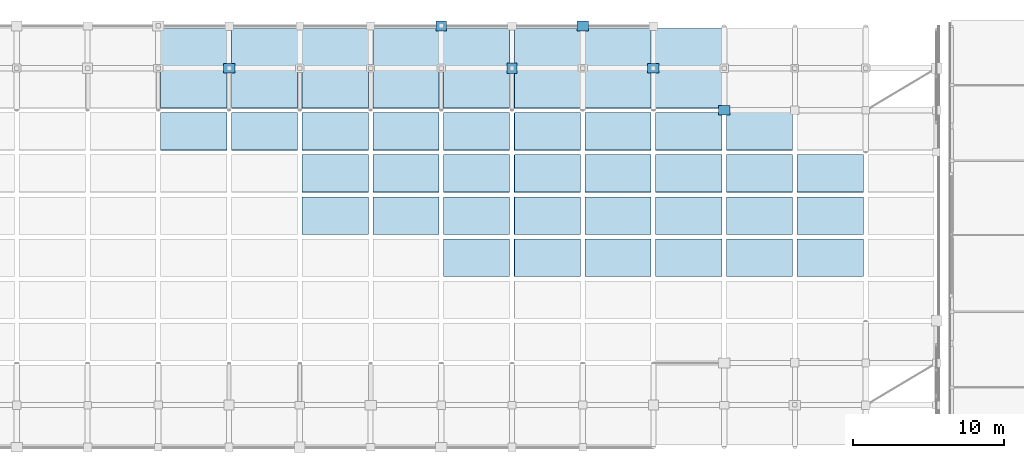
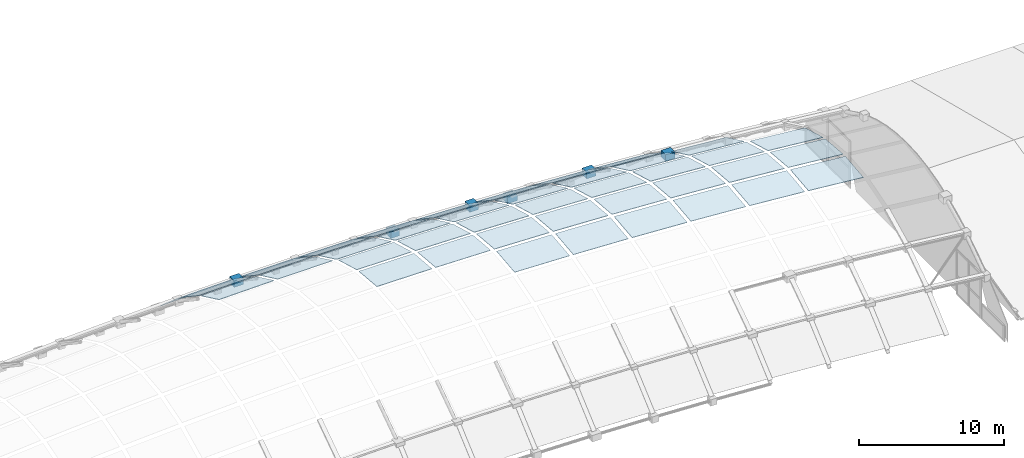
# One storey, part 46 of 65: 53 plates, 1 element without a shape of its own.
"""IFC4 building model written with IfcOpenShell, lengths in metres."""

import ifcopenshell
import ifcopenshell.guid

model = None  # the IFC model being written
_history = None  # IfcOwnerHistory: only IFC2X3 demands one
_inside = {}  # id of a spatial element -> (the spatial element, [elements in it])
_under = {}  # id of a project, library or spatial element -> (it, [spatial elements below it])
_declared = {}  # id of a project -> (the project, [libraries it declares])
_typed = {}  # id of a type object -> (the type object, [elements of that type])
_made_of = {}  # id of a material, layer set ... -> (it, [elements and type objects made of it])


def new_model(schema):
    """Start an empty IFC model of exactly this schema.

    Asked for "IFC4X3", IfcOpenShell would pick the latest addendum, in which some entities
    have other attributes; the version numbers below select the first issue.
    IFC2X3 requires an IfcOwnerHistory on every rooted entity: one is made here for all.
    """
    global model, _history
    if schema == "IFC4X3":
        model = ifcopenshell.file(schema_version=(4, 3, 0, 0))
    else:
        model = ifcopenshell.file(schema=schema)
    _inside.clear()
    _under.clear()
    _declared.clear()
    _typed.clear()
    _made_of.clear()
    _history = None
    if model.schema == "IFC2X3":
        org = make("IfcOrganization", Name="unknown")
        user = make(
            "IfcPersonAndOrganization",
            ThePerson=make("IfcPerson", FamilyName="unknown"),
            TheOrganization=org,
        )
        app = make(
            "IfcApplication",
            ApplicationDeveloper=org,
            Version="unknown",
            ApplicationFullName="unknown",
            ApplicationIdentifier="unknown",
        )
        _history = make(
            "IfcOwnerHistory",
            OwningUser=user,
            OwningApplication=app,
            ChangeAction="ADDED",
            CreationDate=0,
        )
    return model


def make(cls, **values):
    """One entity of the class cls with the attributes given. An attribute that is None is left unset."""
    return model.create_entity(
        cls, **{name: value for name, value in values.items() if value is not None}
    )


def rooted(cls, **values):
    """An entity with a GlobalId (a new one), such as an element, a storey or a relation."""
    return make(cls, GlobalId=ifcopenshell.guid.new(), OwnerHistory=_history, **values)


def si_unit(unit_type, name, prefix=None):
    """IfcSIUnit, for example si_unit("LENGTHUNIT", "METRE", prefix="MILLI")."""
    return make("IfcSIUnit", UnitType=unit_type, Prefix=prefix, Name=name)


def assignment(units):
    """IfcUnitAssignment: the units of a project."""
    return None if units is None else make("IfcUnitAssignment", Units=units)


def point(xyz):
    """IfcCartesianPoint."""
    return None if xyz is None else make("IfcCartesianPoint", Coordinates=xyz)


def direction(xyz):
    """IfcDirection."""
    return None if xyz is None else make("IfcDirection", DirectionRatios=xyz)


def frame(location, z_axis=None, x_axis=None):
    """IfcAxis2Placement3D, a coordinate frame: its origin and axes. An axis left out is left unset."""
    return make(
        "IfcAxis2Placement3D",
        Location=point(location),
        Axis=direction(z_axis),
        RefDirection=direction(x_axis),
    )


def frame_2d(location, x_axis=None):
    """IfcAxis2Placement2D, a coordinate frame in the plane: its origin and x axis."""
    return make(
        "IfcAxis2Placement2D", Location=point(location), RefDirection=direction(x_axis)
    )


def origin():
    """The frame at (0, 0, 0) with its axes left unset."""
    return frame((0.0, 0.0, 0.0))


def origin_2d():
    """The frame at (0, 0) in the plane with its x axis left unset."""
    return frame_2d((0.0, 0.0))


def place(relative_to, where):
    """IfcLocalPlacement: puts the frame where relative to a parent placement (None: the world)."""
    return make(
        "IfcLocalPlacement", PlacementRelTo=relative_to, RelativePlacement=where
    )


def context(
    kind, dimensions, precision=None, world=None, true_north=None, identifier=None
):
    """IfcGeometricRepresentationContext, for example the 3D "Model" context."""
    return make(
        "IfcGeometricRepresentationContext",
        ContextIdentifier=identifier,
        ContextType=kind,
        CoordinateSpaceDimension=dimensions,
        Precision=precision,
        WorldCoordinateSystem=world,
        TrueNorth=true_north,
    )


def subcontext(parent, identifier, kind, view, scale=None):
    """IfcGeometricRepresentationSubContext, for example "Body" below "Model"."""
    return make(
        "IfcGeometricRepresentationSubContext",
        ContextIdentifier=identifier,
        ContextType=kind,
        ParentContext=parent,
        TargetScale=scale,
        TargetView=view,
    )


def project(units=None, contexts=None):
    """IfcProject with its units and contexts."""
    return rooted(
        "IfcProject",
        Name="project",
        RepresentationContexts=contexts,
        UnitsInContext=assignment(units),
    )


def spatial(cls, under=None, at=None, **own):
    """A site, building, storey or space (cls), placed at a placement, below another one or the project."""
    s = rooted(cls, ObjectPlacement=at, **own)
    if under is not None:
        _under.setdefault(under.id(), (under, []))[1].append(s)
    return s


def polyline(points):
    """IfcPolyline through the points."""
    return make("IfcPolyline", Points=[point(p) for p in points])


def profile(cls, at=None, kind="AREA", **sizes):
    """A parametric profile (cls). Its sizes go by their IFC names, for example OverallWidth=200.0."""
    return make(cls, ProfileType=kind, Position=at, **sizes)


def rectangle(**sizes):
    """IfcRectangleProfileDef."""
    return profile("IfcRectangleProfileDef", **sizes)


def outline(outer, holes=None, kind="AREA"):
    """IfcArbitraryClosedProfileDef: a profile drawn as a closed curve; with holes, ...WithVoids."""
    if holes is None:
        return make("IfcArbitraryClosedProfileDef", ProfileType=kind, OuterCurve=outer)
    return make(
        "IfcArbitraryProfileDefWithVoids",
        ProfileType=kind,
        OuterCurve=outer,
        InnerCurves=holes,
    )


def extrude(swept, where, along, depth):
    """IfcExtrudedAreaSolid: the profile swept, set in the frame where, extruded along a direction by depth."""
    return make(
        "IfcExtrudedAreaSolid",
        SweptArea=swept,
        Position=where,
        ExtrudedDirection=direction(along),
        Depth=depth,
    )


def shape(context_of_items, identifier, shape_type, items):
    """IfcShapeRepresentation: the items that make up one representation, for example the "Body"."""
    return make(
        "IfcShapeRepresentation",
        ContextOfItems=context_of_items,
        RepresentationIdentifier=identifier,
        RepresentationType=shape_type,
        Items=items,
    )


def material(Name=None, Category=None):
    """IfcMaterial."""
    return make("IfcMaterial", Name=Name, Category=Category)


def layer(
    of_material, thickness, ventilated=None, Name=None, Category=None, Priority=None
):
    """IfcMaterialLayer: one layer of a wall or slab, of a material (None: an air gap)."""
    return make(
        "IfcMaterialLayer",
        Material=of_material,
        LayerThickness=thickness,
        IsVentilated=ventilated,
        Name=Name,
        Category=Category,
        Priority=Priority,
    )


def layer_set(layers, Name=None):
    """IfcMaterialLayerSet."""
    return make("IfcMaterialLayerSet", MaterialLayers=layers, LayerSetName=Name)


def made_of(thing, what):
    """Note that an element or type object is made of a material, layer set ...; save() writes the relation."""
    if what is not None:
        _made_of.setdefault(what.id(), (what, []))[1].append(thing)
    return thing


def type_object(cls, material=None, **own):
    """A type object (cls), such as IfcWallType, which elements share."""
    return made_of(rooted(cls, **own), material)


def element(
    cls,
    number,
    at=None,
    inside=None,
    cuts=None,
    type_object=None,
    material=None,
    context=None,
    identifier="Body",
    shape_type=None,
    held_by="IfcProductDefinitionShape",
    body=None,
    shapes=None,
    **own,
):
    """One element of the class cls, such as IfcWall. Its Tag is "e" and its number.

    at: its placement. inside: the storey or other place that contains it. cuts: it is an
    opening in that element (IfcRelVoidsElement). A single representation is given by context,
    identifier, shape_type and body (its items); several are given by shapes. held_by: the class
    of the entity that holds the representations. save() writes the other relations.
    """
    e = rooted(cls, Tag="e%d" % number, ObjectPlacement=at, **own)
    if body is not None:
        shapes = [shape(context, identifier, shape_type, body)]
    if shapes is not None:
        e.Representation = make(held_by, Representations=shapes)
    if inside is not None:
        _inside.setdefault(inside.id(), (inside, []))[1].append(e)
    if cuts is not None:
        rooted(
            "IfcRelVoidsElement", RelatingBuildingElement=cuts, RelatedOpeningElement=e
        )
    if type_object is not None:
        _typed.setdefault(type_object.id(), (type_object, []))[1].append(e)
    return made_of(e, material)


def aggregate(whole, parts):
    """IfcRelAggregates: a whole, such as a stair, and the parts it consists of."""
    return rooted("IfcRelAggregates", RelatingObject=whole, RelatedObjects=parts)


def save(model, path):
    """Write the relations noted so far, then the file.

    IfcRelAggregates (storeys below a building ...), IfcRelContainedInSpatialStructure (elements
    in a storey), IfcRelDefinesByType, IfcRelAssociatesMaterial and IfcRelDeclares: one each for
    every whole, place, type object, material and project.
    """
    for whole, parts in _under.values():
        aggregate(whole, parts)
    for where, things in _inside.values():
        rooted(
            "IfcRelContainedInSpatialStructure",
            RelatedElements=things,
            RelatingStructure=where,
        )
    for kind, things in _typed.values():
        rooted("IfcRelDefinesByType", RelatedObjects=things, RelatingType=kind)
    for what, things in _made_of.values():
        rooted("IfcRelAssociatesMaterial", RelatedObjects=things, RelatingMaterial=what)
    for by, libraries in _declared.values():
        rooted("IfcRelDeclares", RelatingContext=by, RelatedDefinitions=libraries)
    model.write(path)


model = new_model("IFC4")

# Units and contexts
model_context = context("Model", 3, precision=1e-05, world=origin(), true_north=direction((0.0, 1.0)))
body_context = subcontext(model_context, "Body", "Model", "MODEL_VIEW")
ifc_project = project(units=[si_unit("LENGTHUNIT", "METRE"), si_unit("AREAUNIT", "SQUARE_METRE"), si_unit("VOLUMEUNIT", "CUBIC_METRE"), si_unit("PLANEANGLEUNIT", "RADIAN"), si_unit("MASSUNIT", "GRAM", prefix="KILO")], contexts=[model_context])

# Site, building, storey
site_placement = place(None, origin())
site = spatial("IfcSite", under=ifc_project, at=site_placement, CompositionType="ELEMENT")
building_placement = place(site_placement, origin())
building = spatial("IfcBuilding", under=site, at=building_placement, Name="Quillay Park Conservatory", CompositionType="ELEMENT")
storey_placement = place(building_placement, frame((0.0, 0.0, 14.10009765625)))
storey = spatial("IfcBuildingStorey", under=building, at=storey_placement, Name="L03", CompositionType="ELEMENT", Elevation=14.10009765625)

# Plates
ifc_material_1 = material(Name="Steel S355J2H", Category="steel")
ifc_layer_1 = layer(ifc_material_1, 0.0439453125)
ifc_layer_set_1 = layer_set([ifc_layer_1], Name="BOLTED GUSSET NODE PLATE GN04 (Steel S355J2H)")
plate_type_1 = type_object("IfcPlateType", Name="BOLTED GUSSET NODE PLATE GN04", PredefinedType="USERDEFINED", material=ifc_layer_set_1)
for number, where, z_axis, x_axis, name in (
    (1, (82.105712890625, 113.39990234375, 0.480224609375), (0.0, 0.0, 1.0), (1.0, 0.0, 0.0), "Conservatory gridshell star node GN04 (11,10)"),
    (2, (86.783203125, 110.614990234375, 2.734130859375), (0.0, 0.0, 1.0), (1.0, 0.0, 0.0), "Conservatory gridshell star node GN04 (12,9)"),
):
    element("IfcPlate", number, at=place(storey_placement, frame(where, z_axis=z_axis, x_axis=x_axis)), inside=storey, type_object=plate_type_1, Name=name, ObjectType="GUSSET PLATE", PredefinedType="USERDEFINED", context=body_context, shape_type="SweptSolid", body=[
        extrude(rectangle(XDim=0.679931640625, YDim=0.679931640625, at=origin_2d()), origin(), (0.0, 0.0, 1.0), 0.5400390625),
    ])
ifc_material_2 = material(Name="Steel S355J2H", Category="steel")
ifc_layer_2 = layer(ifc_material_2, 0.052001953125)
ifc_layer_set_2 = layer_set([ifc_layer_2], Name="BOLTED GUSSET NODE PLATE GN06 (Steel S355J2H)")
plate_type_2 = type_object("IfcPlateType", Name="BOLTED GUSSET NODE PLATE GN06", PredefinedType="USERDEFINED", material=ifc_layer_set_2)
for number, where, z_axis, x_axis, name in (
    (3, (68.072265625, 110.614990234375, 2.968505859375), (0.0, 0.0, 1.0), (1.0, 0.0, 0.0), "Conservatory gridshell star node GN06 (8,9)"),
    (4, (91.461181640625, 113.39990234375, 0.128662109375), (0.0, 0.0, 1.0), (1.0, 0.0, 0.0), "Conservatory gridshell star node GN06 (13,10)"),
    (5, (96.138916015625, 110.614990234375, 2.269287109375), (0.0, 0.0, 1.0), (1.0, 0.0, 0.0), "Conservatory gridshell star node GN06 (14,9)"),
    (6, (100.816650390625, 107.830078125, 3.808349609375), (0.0, 0.0, 1.0), (1.0, 0.0, 0.0), "Conservatory gridshell star node GN06 (15,8)"),
):
    element("IfcPlate", number, at=place(storey_placement, frame(where, z_axis=z_axis, x_axis=x_axis)), inside=storey, type_object=plate_type_2, Name=name, ObjectType="GUSSET PLATE", PredefinedType="USERDEFINED", context=body_context, shape_type="SweptSolid", body=[
        extrude(rectangle(XDim=0.760009765625, YDim=0.639892578125, at=origin_2d()), origin(), (0.0, 0.0, 1.0), 0.5400390625),
    ])

# Roof, plates
ifc_material_3 = material(Name="Low-Iron Laminated Insulated Glazing", Category="glass")
roof_type = type_object("IfcRoofType", Name="TRANSLATIONAL GRIDSHELL ROOF", PredefinedType="FREEFORM", material=ifc_material_3)
roof_placement = place(storey_placement, origin())
roof = element("IfcRoof", 7, at=roof_placement, inside=storey, type_object=roof_type, Name="Multi-Biome Conservatory Translational Gridshell Roof", PredefinedType="FREEFORM")
ifc_material_4 = material(Name="Low-Iron Laminated Insulated Glazing", Category="glass")
ifc_layer_3 = layer(ifc_material_4, 0.033935546875)
ifc_layer_set_3 = layer_set([ifc_layer_3], Name="GRIDSHELL GLAZED PANEL 34 (Low-Iron Laminated Insulated Glazing)")
plate_type_3 = type_object("IfcPlateType", Name="GRIDSHELL GLAZED PANEL 34", PredefinedType="SHEET", material=ifc_layer_set_3)
plate_1_placement = place(storey_placement, frame((63.54443359375, 107.97998046875, 5.14990234375), z_axis=(-0.015579583273, 0.55542428977, 0.83142115376), x_axis=(0.999824480576, 0.0, 0.018735208604)))
plate_1 = element("IfcPlate", 8, at=plate_1_placement, type_object=plate_type_3, Name="Conservatory Gridshell Roof Glazing Panel 07-08", PredefinedType="SHEET", context=body_context, shape_type="SweptSolid", body=[
    extrude(outline(polyline([(0.0, 0.0), (4.378454050609054, 0.0), (4.347350676950521, 2.9884628578617694), (-0.0311033736585334, 2.9884628578617694), (0.0, 0.0)])), origin(), (0.0, 0.0, -1.0), 0.033935546875),
])
plate_2_placement = place(storey_placement, frame((68.22216796875, 105.195068359375, 6.58740234375), z_axis=(-0.005642164403, 0.428865314658, 0.903350822142), x_axis=(0.999980495452, 0.0, 0.006245695711)))
plate_2 = element("IfcPlate", 9, at=plate_2_placement, type_object=plate_type_3, Name="Conservatory Gridshell Roof Glazing Panel 08-07", PredefinedType="SHEET", context=body_context, shape_type="SweptSolid", body=[
    extrude(outline(polyline([(0.0, 0.0), (4.378015078703808, 0.0), (4.370647109544672, 2.750664253810566), (-0.007367969159136681, 2.750664253810566), (0.0, 0.0)])), origin(), (0.0, 0.0, -1.0), 0.033935546875),
])
plate_3_placement = place(storey_placement, frame((72.89990234375, 102.409912109375, 7.42724609375), z_axis=(0.00601225542, 0.270842010718, 0.962605037393), x_axis=(0.999980495452, 0.0, -0.006245695711)))
plate_3 = element("IfcPlate", 10, at=plate_3_placement, type_object=plate_type_3, Name="Conservatory Gridshell Roof Glazing Panel 09-06", PredefinedType="SHEET", context=body_context, shape_type="SweptSolid", body=[
    extrude(outline(polyline([(0.0, 0.0), (4.378015078703808, 0.0), (4.382382186251774, 2.5815977004524617), (0.004367107547965119, 2.5815977004524617), (0.0, 0.0)])), origin(), (0.0, 0.0, -1.0), 0.033935546875),
])
plate_4_placement = place(storey_placement, frame((72.89990234375, 110.764892578125, 3.37255859375), z_axis=(0.004732200466, 0.65263335833, 0.757659096081), x_axis=(0.999980495452, 0.0, -0.006245695711)))
plate_4 = element("IfcPlate", 11, at=plate_4_placement, type_object=plate_type_3, Name="Conservatory Gridshell Roof Glazing Panel 09-09", PredefinedType="SHEET", context=body_context, shape_type="SweptSolid", body=[
    extrude(outline(polyline([(0.0, 0.0), (4.378015078703808, 0.0), (4.3913847710852885, 3.2799170020305146), (0.013369692381479805, 3.2799170020305146), (0.0, 0.0)])), origin(), (0.0, 0.0, -1.0), 0.033935546875),
])
plate_5_placement = place(storey_placement, frame((77.577880859375, 99.625, 7.66943359375), z_axis=(0.018663069976, 0.087670041649, 0.99597472539), x_axis=(0.999824480576, 0.0, -0.018735208604)))
plate_5 = element("IfcPlate", 12, at=plate_5_placement, type_object=plate_type_3, Name="Conservatory Gridshell Roof Glazing Panel 10-05", PredefinedType="SHEET", context=body_context, shape_type="SweptSolid", body=[
    extrude(outline(polyline([(0.0, 0.0), (4.378454050609054, -8.673617379884035e-19), (4.38255237749112, 2.4947131427230222), (0.004098326882065578, 2.4947131427230222), (0.0, 0.0)])), origin(), (0.0, 0.0, -1.0), 0.033935546875),
])
plate_6_placement = place(storey_placement, frame((77.577880859375, 107.97998046875, 5.23193359375), z_axis=(0.015579583273, 0.55542428977, 0.83142115376), x_axis=(0.999824480576, 0.0, -0.018735208604)))
plate_6 = element("IfcPlate", 13, at=plate_6_placement, type_object=plate_type_3, Name="Conservatory Gridshell Roof Glazing Panel 10-08", PredefinedType="SHEET", context=body_context, shape_type="SweptSolid", body=[
    extrude(outline(polyline([(0.0, 0.0), (4.378454050609054, 0.0), (4.409557424267588, 2.9884628578617694), (0.0311033736585334, 2.9884628578617694), (0.0, 0.0)])), origin(), (0.0, 0.0, -1.0), 0.033935546875),
])
plate_7_placement = place(storey_placement, frame((82.255615234375, 96.840087890625, 7.31396484375), z_axis=(0.03103894399, -0.106240442182, 0.993855901226), x_axis=(0.999512674112, 0.0, -0.031215609698)))
plate_7 = element("IfcPlate", 14, at=plate_7_placement, type_object=plate_type_3, Name="Conservatory Gridshell Roof Glazing Panel 11-04", PredefinedType="SHEET", context=body_context, shape_type="SweptSolid", body=[
    extrude(outline(polyline([(0.0, 0.0), (4.379819946518331, 0.0), (4.37152830019218, 2.4990064857320236), (-0.00829164632615064, 2.4990064857320236), (0.0, 0.0)])), origin(), (0.0, 0.0, -1.0), 0.033935546875),
])
plate_8_placement = place(storey_placement, frame((82.255615234375, 105.195068359375, 6.49365234375), z_axis=(0.028201622869, 0.428701559382, 0.903005892257), x_axis=(0.999512674112, 0.0, -0.031215609698)))
plate_8 = element("IfcPlate", 15, at=plate_8_placement, type_object=plate_type_3, Name="Conservatory Gridshell Roof Glazing Panel 11-07", PredefinedType="SHEET", context=body_context, shape_type="SweptSolid", body=[
    extrude(outline(polyline([(0.0, 0.0), (4.379819946518331, 0.0), (4.41664461108447, 2.750427615524604), (0.0368246645661396, 2.750427615524604), (0.0, 0.0)])), origin(), (0.0, 0.0, -1.0), 0.033935546875),
])
plate_9_placement = place(storey_placement, frame((86.933349609375, 102.409912109375, 7.15771484375), z_axis=(0.042051665481, 0.270607324924, 0.961770935893), x_axis=(0.999045510911, 0.0, -0.043681427726)))
plate_9 = element("IfcPlate", 16, at=plate_9_placement, type_object=plate_type_3, Name="Conservatory Gridshell Roof Glazing Panel 12-06", PredefinedType="SHEET", context=body_context, shape_type="SweptSolid", body=[
    extrude(outline(polyline([(0.0, 0.0), (4.381867992061984, 0.0), (4.412410865354753, 2.5814207118369517), (0.030542873292768585, 2.5814207118369517), (0.0, 0.0)])), origin(), (0.0, 0.0, -1.0), 0.033935546875),
])
plate_10_placement = place(storey_placement, frame((86.933349609375, 110.764892578125, 3.10302734375), z_axis=(0.033109458744, 0.652282843625, 0.757252174414), x_axis=(0.999045510911, 0.0, -0.043681427726)))
plate_10 = element("IfcPlate", 17, at=plate_10_placement, type_object=plate_type_3, Name="Conservatory Gridshell Roof Glazing Panel 12-09", PredefinedType="SHEET", context=body_context, shape_type="SweptSolid", body=[
    extrude(outline(polyline([(0.0, 0.0), (4.381867992061984, -1.3877787807814457e-17), (4.47537354828789, 3.278611138857137), (0.09350555622590606, 3.278611138857137), (0.0, 0.0)])), origin(), (0.0, 0.0, -1.0), 0.033935546875),
])
plate_11_placement = place(storey_placement, frame((91.611083984375, 99.625, 7.22412109375), z_axis=(0.055908257904, 0.087548166115, 0.994590159467), x_axis=(0.998423819779, 0.0, -0.05612375699)))
plate_11 = element("IfcPlate", 18, at=plate_11_placement, type_object=plate_type_3, Name="Conservatory Gridshell Roof Glazing Panel 13-05", PredefinedType="SHEET", context=body_context, shape_type="SweptSolid", body=[
    extrude(outline(polyline([(0.0, 0.0), (4.384840987137722, 0.0), (4.397118058979189, 2.4946862997710175), (0.012277071841467254, 2.494686299771017), (0.0, 0.0)])), origin(), (0.0, 0.0, -1.0), 0.033935546875),
])
plate_12_placement = place(storey_placement, frame((91.611083984375, 107.97998046875, 4.78662109375), z_axis=(0.046690839202, 0.554885883387, 0.830615206911), x_axis=(0.998423819779, 0.0, -0.05612375699)))
plate_12 = element("IfcPlate", 19, at=plate_12_placement, type_object=plate_type_3, Name="Conservatory Gridshell Roof Glazing Panel 13-08", PredefinedType="SHEET", context=body_context, shape_type="SweptSolid", body=[
    extrude(outline(polyline([(0.0, 0.0), (4.384840987137722, 2.7755575615628914e-17), (4.47801519307743, 2.98717194684534), (0.09317420593970685, 2.9871719468453404), (0.0, 0.0)])), origin(), (0.0, 0.0, -1.0), 0.033935546875),
])
plate_13_placement = place(storey_placement, frame((96.288818359375, 96.840087890625, 6.69677734375), z_axis=(0.068155930786, -0.106044494056, 0.992022849726), x_axis=(0.997648203197, 0.0, -0.068542415031)))
plate_13 = element("IfcPlate", 20, at=plate_13_placement, type_object=plate_type_3, Name="Conservatory Gridshell Roof Glazing Panel 14-04", PredefinedType="SHEET", context=body_context, shape_type="SweptSolid", body=[
    extrude(outline(polyline([(0.0, 0.0), (4.388249959727159, 6.938893903907228e-18), (4.370043380734512, 2.4989539186649488), (-0.018206578992646428, 2.498953918664949), (0.0, 0.0)])), origin(), (0.0, 0.0, -1.0), 0.033935546875),
])
plate_14_placement = place(storey_placement, frame((96.288818359375, 105.195068359375, 5.87646484375), z_axis=(0.061945602568, 0.42804850373, 0.901630312699), x_axis=(0.997648203197, 0.0, -0.068542415031)))
plate_14 = element("IfcPlate", 21, at=plate_14_placement, type_object=plate_type_3, Name="Conservatory Gridshell Roof Glazing Panel 14-07", PredefinedType="SHEET", context=body_context, shape_type="SweptSolid", body=[
    extrude(outline(polyline([(0.0, 0.0), (4.388249959727159, -2.7755575615628914e-17), (4.469108589959206, 2.7494854075040593), (0.08085863023204738, 2.7494854075040593), (0.0, 0.0)])), origin(), (0.0, 0.0, -1.0), 0.033935546875),
])
plate_15_placement = place(storey_placement, frame((100.966796875, 102.409912109375, 6.36474609375), z_axis=(0.077927394923, 0.270023270477, 0.959695136239), x_axis=(0.996719480928, 0.0, -0.080933777493)))
plate_15 = element("IfcPlate", 22, at=plate_15_placement, type_object=plate_type_3, Name="Conservatory Gridshell Roof Glazing Panel 15-06", PredefinedType="SHEET", context=body_context, shape_type="SweptSolid", body=[
    extrude(outline(polyline([(0.0, 0.0), (4.392093894664006, -1.3877787807814457e-17), (4.448684309395582, 2.5809810699751905), (0.05659041473157681, 2.5809810699751905), (0.0, 0.0)])), origin(), (0.0, 0.0, -1.0), 0.033935546875),
])
plate_16_placement = place(storey_placement, frame((105.644287109375, 99.625, 6.25927734375), z_axis=(0.092922608587, 0.087305928791, 0.991838224516), x_axis=(0.995640029065, 0.0, -0.09327878925)))
plate_16 = element("IfcPlate", 23, at=plate_16_placement, type_object=plate_type_3, Name="Conservatory Gridshell Roof Glazing Panel 16-05", PredefinedType="SHEET", context=body_context, shape_type="SweptSolid", body=[
    extrude(outline(polyline([(0.0, 0.0), (4.397100919709247, 6.938893903907228e-18), (4.417505654857658, 2.494633060700858), (0.02040473514841063, 2.494633060700858), (0.0, 0.0)])), origin(), (0.0, 0.0, -1.0), 0.033935546875),
])
ifc_material_5 = material(Name="Low-Iron Laminated Insulated Glazing", Category="glass")
ifc_layer_4 = layer(ifc_material_5, 0.0380859375)
ifc_layer_set_4 = layer_set([ifc_layer_4], Name="GRIDSHELL GLAZED PANEL 38 (Low-Iron Laminated Insulated Glazing)")
plate_type_4 = type_object("IfcPlateType", Name="GRIDSHELL GLAZED PANEL 38", PredefinedType="SHEET", material=ifc_layer_set_4)
plate_17_placement = place(storey_placement, frame((63.54443359375, 110.764892578125, 3.25927734375), z_axis=(-0.014196121415, 0.652574899291, 0.757591229458), x_axis=(0.999824480576, 0.0, 0.018735208604)))
plate_17 = element("IfcPlate", 24, at=plate_17_placement, type_object=plate_type_4, Name="Conservatory Gridshell Roof Glazing Panel 07-09", PredefinedType="SHEET", context=body_context, shape_type="SweptSolid", body=[
    extrude(outline(polyline([(0.0, 0.0), (4.378454050609054, 6.938893903907228e-18), (4.338348994691699, 3.2796990522566363), (-0.04010505591735601, 3.2796990522566363), (0.0, 0.0)])), origin(), (0.0, 0.0, -1.0), 0.0380859375),
])
plate_18_placement = place(storey_placement, frame((68.22216796875, 107.97998046875, 5.23583984375), z_axis=(-0.005193465113, 0.555484217849, 0.831510860807), x_axis=(0.999980495452, 0.0, 0.006245695711)))
plate_18 = element("IfcPlate", 25, at=plate_18_placement, type_object=plate_type_4, Name="Conservatory Gridshell Roof Glazing Panel 08-08", PredefinedType="SHEET", context=body_context, shape_type="SweptSolid", body=[
    extrude(outline(polyline([(0.0, 0.0), (4.378015078703808, 0.0), (4.3676462479335, 2.9886067255530175), (-0.010368830770308243, 2.9886067255530175), (0.0, 0.0)])), origin(), (0.0, 0.0, -1.0), 0.0380859375),
])
plate_19_placement = place(storey_placement, frame((72.89990234375, 105.195068359375, 6.61474609375), z_axis=(0.005642164403, 0.428865314658, 0.903350822142), x_axis=(0.999980495452, 0.0, -0.006245695711)))
plate_19 = element("IfcPlate", 26, at=plate_19_placement, type_object=plate_type_4, Name="Conservatory Gridshell Roof Glazing Panel 09-07", PredefinedType="SHEET", context=body_context, shape_type="SweptSolid", body=[
    extrude(outline(polyline([(0.0, 0.0), (4.378015078703808, 0.0), (4.385383047862945, 2.750664253810566), (0.007367969159136681, 2.750664253810566), (0.0, 0.0)])), origin(), (0.0, 0.0, -1.0), 0.0380859375),
])
plate_20_placement = place(storey_placement, frame((77.577880859375, 102.409912109375, 7.39599609375), z_axis=(0.018035164335, 0.270802853559, 0.962465868149), x_axis=(0.999824480576, 0.0, -0.018735208604)))
plate_20 = element("IfcPlate", 27, at=plate_20_placement, type_object=plate_type_4, Name="Conservatory Gridshell Roof Glazing Panel 10-06", PredefinedType="SHEET", context=body_context, shape_type="SweptSolid", body=[
    extrude(outline(polyline([(0.0, 0.0), (4.378454050609054, 0.0), (4.391554059749943, 2.581568156832254), (0.013100009140888186, 2.581568156832254), (0.0, 0.0)])), origin(), (0.0, 0.0, -1.0), 0.0380859375),
])
plate_21_placement = place(storey_placement, frame((77.577880859375, 110.764892578125, 3.34130859375), z_axis=(0.014196121415, 0.652574899291, 0.757591229458), x_axis=(0.999824480576, 0.0, -0.018735208604)))
plate_21 = element("IfcPlate", 28, at=plate_21_placement, type_object=plate_type_4, Name="Conservatory Gridshell Roof Glazing Panel 10-09", PredefinedType="SHEET", context=body_context, shape_type="SweptSolid", body=[
    extrude(outline(polyline([(0.0, 0.0), (4.378454050609054, -6.938893903907228e-18), (4.41855910652641, 3.2796990522566363), (0.04010505591735601, 3.2796990522566363), (0.0, 0.0)])), origin(), (0.0, 0.0, -1.0), 0.0380859375),
])
plate_22_placement = place(storey_placement, frame((82.255615234375, 99.625, 7.57958984375), z_axis=(0.03109549067, 0.08764291081, 0.995666505736), x_axis=(0.999512674112, 0.0, -0.031215609698)))
plate_22 = element("IfcPlate", 29, at=plate_22_placement, type_object=plate_type_4, Name="Conservatory Gridshell Roof Glazing Panel 11-05", PredefinedType="SHEET", context=body_context, shape_type="SweptSolid", body=[
    extrude(outline(polyline([(0.0, 0.0), (4.379819946518331, 1.734723475976807e-18), (4.386648361139867, 2.494707163879554), (0.00682841462153582, 2.494707163879554), (0.0, 0.0)])), origin(), (0.0, 0.0, -1.0), 0.0380859375),
])
plate_23_placement = place(storey_placement, frame((82.255615234375, 107.97998046875, 5.14208984375), z_axis=(0.025960371667, 0.555304493444, 0.831241829231), x_axis=(0.999512674112, 0.0, -0.031215609698)))
plate_23 = element("IfcPlate", 30, at=plate_23_placement, type_object=plate_type_4, Name="Conservatory Gridshell Roof Glazing Panel 11-08", PredefinedType="SHEET", context=body_context, shape_type="SweptSolid", body=[
    extrude(outline(polyline([(0.0, 0.0), (4.379819946518331, 0.0), (4.431642736056772, 2.9881753748996607), (0.051822789538441494, 2.9881753748996607), (0.0, 0.0)])), origin(), (0.0, 0.0, -1.0), 0.0380859375),
])
plate_24_placement = place(storey_placement, frame((86.933349609375, 96.840087890625, 7.16552734375), z_axis=(0.043434440419, -0.106191346437, 0.993396621359), x_axis=(0.999045510911, 0.0, -0.043681427726)))
plate_24 = element("IfcPlate", 31, at=plate_24_placement, type_object=plate_type_4, Name="Conservatory Gridshell Roof Glazing Panel 12-04", PredefinedType="SHEET", context=body_context, shape_type="SweptSolid", body=[
    extrude(outline(polyline([(0.0, 0.0), (4.381867992061984, 0.0), (4.370265112822273, 2.4989933053777604), (-0.011602879239710972, 2.4989933053777604), (0.0, 0.0)])), origin(), (0.0, 0.0, -1.0), 0.0380859375),
])
plate_25_placement = place(storey_placement, frame((86.933349609375, 105.195068359375, 6.34521484375), z_axis=(0.039467207924, 0.428537992304, 0.902661358789), x_axis=(0.999045510911, 0.0, -0.043681427726)))
plate_25 = element("IfcPlate", 32, at=plate_25_placement, type_object=plate_type_4, Name="Conservatory Gridshell Roof Glazing Panel 12-07", PredefinedType="SHEET", context=body_context, shape_type="SweptSolid", body=[
    extrude(outline(polyline([(0.0, 0.0), (4.381867992061984, 0.0), (4.433398426332466, 2.7501914003401042), (0.05153043427048108, 2.7501914003401042), (0.0, 0.0)])), origin(), (0.0, 0.0, -1.0), 0.0380859375),
])
plate_26_placement = place(storey_placement, frame((91.611083984375, 102.409912109375, 6.95068359375), z_axis=(0.05403223059, 0.270451250629, 0.961216229103), x_axis=(0.998423819779, 0.0, -0.05612375699)))
plate_26 = element("IfcPlate", 33, at=plate_26_placement, type_object=plate_type_4, Name="Conservatory Gridshell Roof Glazing Panel 13-06", PredefinedType="SHEET", context=body_context, shape_type="SweptSolid", body=[
    extrude(outline(polyline([(0.0, 0.0), (4.384840987137722, -1.3877787807814457e-17), (4.42408377034527, 2.5813031132697097), (0.03924278320754712, 2.5813031132697097), (0.0, 0.0)])), origin(), (0.0, 0.0, -1.0), 0.0380859375),
])
plate_27_placement = place(storey_placement, frame((91.611083984375, 110.764892578125, 2.89599609375), z_axis=(0.042551705611, 0.652049547055, 0.756981334337), x_axis=(0.998423819779, 0.0, -0.05612375699)))
plate_27 = element("IfcPlate", 34, at=plate_27_placement, type_object=plate_type_4, Name="Conservatory Gridshell Roof Glazing Panel 13-09", PredefinedType="SHEET", context=body_context, shape_type="SweptSolid", body=[
    extrude(outline(polyline([(0.0, 0.0), (4.384840987137722, 0.0), (4.504980904443509, 3.2777432311199988), (0.12013991730578671, 3.2777432311199988), (0.0, 0.0)])), origin(), (0.0, 0.0, -1.0), 0.0380859375),
])
plate_28_placement = place(storey_placement, frame((96.288818359375, 99.625, 6.96240234375), z_axis=(0.068279638267, 0.087480675788, 0.993823436211), x_axis=(0.997648203197, 0.0, -0.068542415031)))
plate_28 = element("IfcPlate", 35, at=plate_28_placement, type_object=plate_type_4, Name="Conservatory Gridshell Roof Glazing Panel 14-05", PredefinedType="SHEET", context=body_context, shape_type="SweptSolid", body=[
    extrude(outline(polyline([(0.0, 0.0), (4.388249959727159, -3.469446951953614e-18), (4.403243613015221, 2.4946714515381148), (0.014993653288061763, 2.494671451538115), (0.0, 0.0)])), origin(), (0.0, 0.0, -1.0), 0.0380859375),
])
plate_29_placement = place(storey_placement, frame((96.288818359375, 107.97998046875, 4.52490234375), z_axis=(0.057035888221, 0.554587440297, 0.830168463939), x_axis=(0.997648203197, 0.0, -0.068542415031)))
plate_29 = element("IfcPlate", 36, at=plate_29_placement, type_object=plate_type_4, Name="Conservatory Gridshell Roof Glazing Panel 14-08", PredefinedType="SHEET", context=body_context, shape_type="SweptSolid", body=[
    extrude(outline(polyline([(0.0, 0.0), (4.388249959727159, -5.551115123125783e-17), (4.502041078431199, 2.9864576430909504), (0.11379111870404018, 2.9864576430909504), (0.0, 0.0)])), origin(), (0.0, 0.0, -1.0), 0.0380859375),
])
plate_30_placement = place(storey_placement, frame((100.966796875, 96.840087890625, 6.37255859375), z_axis=(0.080478265234, -0.105946884603, 0.991109734826), x_axis=(0.996719480928, 0.0, -0.080933777493)))
plate_30 = element("IfcPlate", 37, at=plate_30_placement, type_object=plate_type_4, Name="Conservatory Gridshell Roof Glazing Panel 15-04", PredefinedType="SHEET", context=body_context, shape_type="SweptSolid", body=[
    extrude(outline(polyline([(0.0, 0.0), (4.392093894664006, 0.0), (4.3705958600173735, 2.4989277703919033), (-0.02149803464663253, 2.4989277703919033), (0.0, 0.0)])), origin(), (0.0, 0.0, -1.0), 0.0380859375),
])
plate_31_placement = place(storey_placement, frame((100.966796875, 105.195068359375, 5.55224609375), z_axis=(0.07315684118, 0.427722955998, 0.900944587364), x_axis=(0.996719480928, 0.0, -0.080933777493)))
plate_31 = element("IfcPlate", 38, at=plate_31_placement, type_object=plate_type_4, Name="Conservatory Gridshell Roof Glazing Panel 15-07", PredefinedType="SHEET", context=body_context, shape_type="SweptSolid", body=[
    extrude(outline(polyline([(0.0, 0.0), (4.392093894664006, 0.0), (4.487570460300521, 2.7490166150052686), (0.09547656563651506, 2.749016615005268), (0.0, 0.0)])), origin(), (0.0, 0.0, -1.0), 0.0380859375),
])
plate_32_placement = place(storey_placement, frame((105.644287109375, 102.409912109375, 5.98583984375), z_axis=(0.089820925478, 0.2697521242, 0.9587314498), x_axis=(0.995640029065, 0.0, -0.09327878925)))
plate_32 = element("IfcPlate", 39, at=plate_32_placement, type_object=plate_type_4, Name="Conservatory Gridshell Roof Glazing Panel 16-06", PredefinedType="SHEET", context=body_context, shape_type="SweptSolid", body=[
    extrude(outline(polyline([(0.0, 0.0), (4.397100919709247, 1.3877787807814457e-17), (4.4623231981300595, 2.5807773660289586), (0.06522227842081256, 2.5807773660289586), (0.0, 0.0)])), origin(), (0.0, 0.0, -1.0), 0.0380859375),
])
ifc_material_6 = material(Name="Low-Iron Laminated Insulated Glazing", Category="glass")
ifc_layer_5 = layer(ifc_material_6, 0.0419921875)
ifc_layer_set_5 = layer_set([ifc_layer_5], Name="GRIDSHELL GLAZED PANEL 42 (Low-Iron Laminated Insulated Glazing)")
plate_type_5 = type_object("IfcPlateType", Name="GRIDSHELL GLAZED PANEL 42", PredefinedType="SHEET", material=ifc_layer_set_5)
plate_33_placement = place(storey_placement, frame((63.54443359375, 105.195068359375, 6.50146484375), z_axis=(-0.016925281857, 0.42881070821, 0.90323580053), x_axis=(0.999824480576, 0.0, 0.018735208604)))
plate_33 = element("IfcPlate", 40, at=plate_33_placement, type_object=plate_type_5, Name="Conservatory Gridshell Roof Glazing Panel 07-07", PredefinedType="SHEET", context=body_context, shape_type="SweptSolid", body=[
    extrude(outline(polyline([(0.0, 0.0), (4.378454050609054, 0.0), (4.356352359209343, 2.7505853266892193), (-0.022101691399710795, 2.7505853266892193), (0.0, 0.0)])), origin(), (0.0, 0.0, -1.0), 0.0419921875),
])
plate_34_placement = place(storey_placement, frame((68.22216796875, 110.764892578125, 3.34521484375), z_axis=(-0.004732200466, 0.65263335833, 0.757659096081), x_axis=(0.999980495452, 0.0, 0.006245695711)))
plate_34 = element("IfcPlate", 41, at=plate_34_placement, type_object=plate_type_5, Name="Conservatory Gridshell Roof Glazing Panel 08-09", PredefinedType="SHEET", context=body_context, shape_type="SweptSolid", body=[
    extrude(outline(polyline([(0.0, 0.0), (4.378015078703808, 0.0), (4.364645386322328, 3.2799170020305146), (-0.013369692381479805, 3.2799170020305146), (0.0, 0.0)])), origin(), (0.0, 0.0, -1.0), 0.0419921875),
])
plate_35_placement = place(storey_placement, frame((72.89990234375, 99.625, 7.70068359375), z_axis=(0.006221639628, 0.08768361671, 0.996128944746), x_axis=(0.999980495452, 0.0, -0.006245695711)))
plate_35 = element("IfcPlate", 42, at=plate_35_placement, type_object=plate_type_5, Name="Conservatory Gridshell Roof Glazing Panel 09-05", PredefinedType="SHEET", context=body_context, shape_type="SweptSolid", body=[
    extrude(outline(polyline([(0.0, 0.0), (4.378015078703808, -4.336808689942018e-19), (4.379381324640602, 2.4947161349801403), (0.0013662459367935567, 2.4947161349801403), (0.0, 0.0)])), origin(), (0.0, 0.0, -1.0), 0.0419921875),
])
plate_36_placement = place(storey_placement, frame((72.89990234375, 107.97998046875, 5.26318359375), z_axis=(0.005193465113, 0.555484217849, 0.831510860807), x_axis=(0.999980495452, 0.0, -0.006245695711)))
plate_36 = element("IfcPlate", 43, at=plate_36_placement, type_object=plate_type_5, Name="Conservatory Gridshell Roof Glazing Panel 09-08", PredefinedType="SHEET", context=body_context, shape_type="SweptSolid", body=[
    extrude(outline(polyline([(0.0, 0.0), (4.378015078703808, 0.0), (4.388383909474117, 2.9886067255530175), (0.010368830770308243, 2.9886067255530175), (0.0, 0.0)])), origin(), (0.0, 0.0, -1.0), 0.0419921875),
])
plate_37_placement = place(storey_placement, frame((77.577880859375, 105.195068359375, 6.58349609375), z_axis=(0.016925281857, 0.42881070821, 0.90323580053), x_axis=(0.999824480576, 0.0, -0.018735208604)))
plate_37 = element("IfcPlate", 44, at=plate_37_placement, type_object=plate_type_5, Name="Conservatory Gridshell Roof Glazing Panel 10-07", PredefinedType="SHEET", context=body_context, shape_type="SweptSolid", body=[
    extrude(outline(polyline([(0.0, 0.0), (4.378454050609054, 0.0), (4.400555742008765, 2.7505853266892197), (0.022101691399710795, 2.7505853266892193), (0.0, 0.0)])), origin(), (0.0, 0.0, -1.0), 0.0419921875),
])
plate_38_placement = place(storey_placement, frame((82.255615234375, 102.409912109375, 7.30615234375), z_axis=(0.030049920257, 0.270724591256, 0.962187714524), x_axis=(0.999512674112, 0.0, -0.031215609698)))
plate_38 = element("IfcPlate", 45, at=plate_38_placement, type_object=plate_type_5, Name="Conservatory Gridshell Roof Glazing Panel 11-06", PredefinedType="SHEET", context=body_context, shape_type="SweptSolid", body=[
    extrude(outline(polyline([(0.0, 0.0), (4.379819946518331, 0.0), (4.401646486112168, 2.581509124674777), (0.02182653959383771, 2.581509124674777), (0.0, 0.0)])), origin(), (0.0, 0.0, -1.0), 0.0419921875),
])
plate_39_placement = place(storey_placement, frame((82.255615234375, 110.764892578125, 3.25146484375), z_axis=(0.023655965064, 0.652458029956, 0.757455552797), x_axis=(0.999512674112, 0.0, -0.031215609698)))
plate_39 = element("IfcPlate", 46, at=plate_39_placement, type_object=plate_type_5, Name="Conservatory Gridshell Roof Glazing Panel 11-09", PredefinedType="SHEET", context=body_context, shape_type="SweptSolid", body=[
    extrude(outline(polyline([(0.0, 0.0), (4.379819946518331, -1.3877787807814457e-17), (4.446640861029074, 3.279263523150763), (0.06682091451074339, 3.279263523150763), (0.0, 0.0)])), origin(), (0.0, 0.0, -1.0), 0.0419921875),
])
plate_40_placement = place(storey_placement, frame((86.933349609375, 99.625, 7.43115234375), z_axis=(0.043513495871, 0.087602261738, 0.995204712316), x_axis=(0.999045510911, 0.0, -0.043681427726)))
plate_40 = element("IfcPlate", 47, at=plate_40_placement, type_object=plate_type_5, Name="Conservatory Gridshell Roof Glazing Panel 12-05", PredefinedType="SHEET", context=body_context, shape_type="SweptSolid", body=[
    extrude(outline(polyline([(0.0, 0.0), (4.381867992061984, -3.469446951953614e-18), (4.3914233043770405, 2.494698209556573), (0.009555312315056094, 2.494698209556573), (0.0, 0.0)])), origin(), (0.0, 0.0, -1.0), 0.0419921875),
])
plate_41_placement = place(storey_placement, frame((86.933349609375, 107.97998046875, 4.99365234375), z_axis=(0.036332768888, 0.555124944208, 0.830973059866), x_axis=(0.999045510911, 0.0, -0.043681427726)))
plate_41 = element("IfcPlate", 48, at=plate_41_placement, type_object=plate_type_5, Name="Conservatory Gridshell Roof Glazing Panel 12-08", PredefinedType="SHEET", context=body_context, shape_type="SweptSolid", body=[
    extrude(outline(polyline([(0.0, 0.0), (4.381867992061984, 0.0), (4.454385987310178, 2.987744770397474), (0.07251799524819356, 2.987744770397474), (0.0, 0.0)])), origin(), (0.0, 0.0, -1.0), 0.0419921875),
])
plate_42_placement = place(storey_placement, frame((91.611083984375, 96.840087890625, 6.95849609375), z_axis=(0.055806808678, -0.10612600963, 0.992785409938), x_axis=(0.998423819779, 0.0, -0.05612375699)))
plate_42 = element("IfcPlate", 49, at=plate_42_placement, type_object=plate_type_5, Name="Conservatory Gridshell Roof Glazing Panel 13-04", PredefinedType="SHEET", context=body_context, shape_type="SweptSolid", body=[
    extrude(outline(polyline([(0.0, 0.0), (4.384840987137722, 0.0), (4.369933114187369, 2.498975774683223), (-0.014907872950353096, 2.498975774683223), (0.0, 0.0)])), origin(), (0.0, 0.0, -1.0), 0.0419921875),
])
plate_43_placement = place(storey_placement, frame((91.611083984375, 105.195068359375, 6.13818359375), z_axis=(0.050714942275, 0.428320255258, 0.902202723098), x_axis=(0.998423819779, 0.0, -0.05612375699)))
plate_43 = element("IfcPlate", 50, at=plate_43_placement, type_object=plate_type_5, Name="Conservatory Gridshell Roof Glazing Panel 13-07", PredefinedType="SHEET", context=body_context, shape_type="SweptSolid", body=[
    extrude(outline(polyline([(0.0, 0.0), (4.384840987137722, 0.0), (4.451049481711349, 2.7498771898772247), (0.06620849457362699, 2.7498771898772243), (0.0, 0.0)])), origin(), (0.0, 0.0, -1.0), 0.0419921875),
])
plate_44_placement = place(storey_placement, frame((96.288818359375, 102.409912109375, 6.68896484375), z_axis=(0.065991839217, 0.270256503763, 0.960524075352), x_axis=(0.997648203197, 0.0, -0.068542415031)))
plate_44 = element("IfcPlate", 51, at=plate_44_placement, type_object=plate_type_5, Name="Conservatory Gridshell Roof Glazing Panel 14-06", PredefinedType="SHEET", context=body_context, shape_type="SweptSolid", body=[
    extrude(outline(polyline([(0.0, 0.0), (4.388249959727159, -1.3877787807814457e-17), (4.436176101487213, 2.581156493424172), (0.04792614176005456, 2.581156493424172), (0.0, 0.0)])), origin(), (0.0, 0.0, -1.0), 0.0419921875),
])
plate_45_placement = place(storey_placement, frame((96.288818359375, 110.764892578125, 2.63427734375), z_axis=(0.051984404534, 0.651758228332, 0.756643134831), x_axis=(0.997648203197, 0.0, -0.068542415031)))
plate_45 = element("IfcPlate", 52, at=plate_45_placement, type_object=plate_type_5, Name="Conservatory Gridshell Roof Glazing Panel 14-09", PredefinedType="SHEET", context=body_context, shape_type="SweptSolid", body=[
    extrude(outline(polyline([(0.0, 0.0), (4.388249959727159, -5.551115123125783e-17), (4.534973566903192, 3.2766608722875885), (0.14672360717603297, 3.2766608722875885), (0.0, 0.0)])), origin(), (0.0, 0.0, -1.0), 0.0419921875),
])
plate_46_placement = place(storey_placement, frame((100.966796875, 99.625, 6.63818359375), z_axis=(0.080624069044, 0.087399861375, 0.992905344795), x_axis=(0.996719480928, 0.0, -0.080933777493)))
plate_46 = element("IfcPlate", 53, at=plate_46_placement, type_object=plate_type_5, Name="Conservatory Gridshell Roof Glazing Panel 15-05", PredefinedType="SHEET", context=body_context, shape_type="SweptSolid", body=[
    extrude(outline(polyline([(0.0, 0.0), (4.392093894664006, 3.469446951953614e-18), (4.409798158490644, 2.4946536873483196), (0.017704263826638554, 2.4946536873483196), (0.0, 0.0)])), origin(), (0.0, 0.0, -1.0), 0.0419921875),
])
plate_47_placement = place(storey_placement, frame((105.644287109375, 96.840087890625, 5.99365234375), z_axis=(0.092754923644, -0.105833429501, 0.990048387373), x_axis=(0.995640029065, 0.0, -0.09327878925)))
plate_47 = element("IfcPlate", 54, at=plate_47_placement, type_object=plate_type_5, Name="Conservatory Gridshell Roof Glazing Panel 16-04", PredefinedType="SHEET", context=body_context, shape_type="SweptSolid", body=[
    extrude(outline(polyline([(0.0, 0.0), (4.397100919709247, 0.0), (4.372323741314749, 2.498897408570493), (-0.024777178394498625, 2.4988974085704925), (0.0, 0.0)])), origin(), (0.0, 0.0, -1.0), 0.0419921875),
])
aggregate(roof, [plate_33, plate_1, plate_17, plate_2, plate_18, plate_34, plate_35, plate_3, plate_19, plate_36, plate_4, plate_5, plate_20, plate_37, plate_6, plate_21, plate_7, plate_22, plate_38, plate_8, plate_23, plate_39, plate_24, plate_40, plate_9, plate_25, plate_41, plate_10, plate_42, plate_11, plate_26, plate_43, plate_12, plate_27, plate_13, plate_28, plate_44, plate_14, plate_29, plate_45, plate_30, plate_46, plate_15, plate_31, plate_47, plate_16, plate_32])

save(model, "model.ifc")
